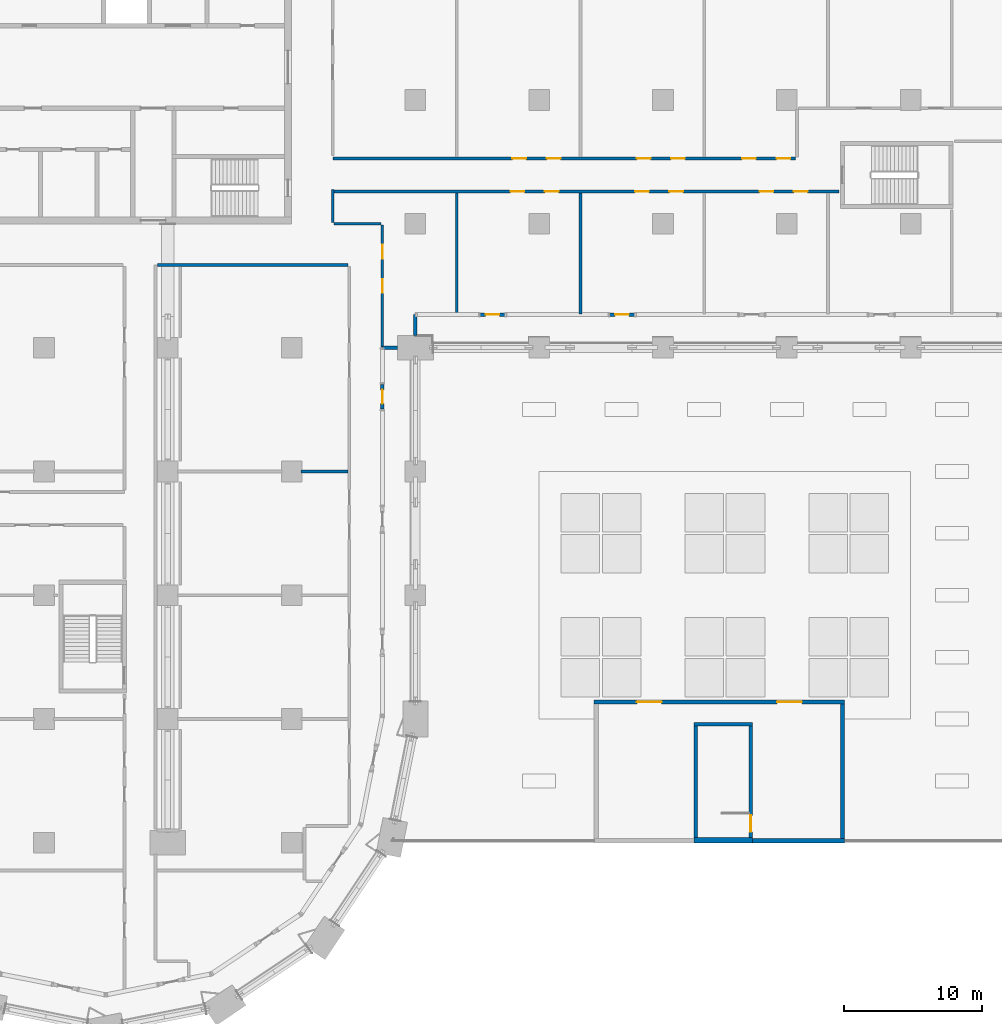
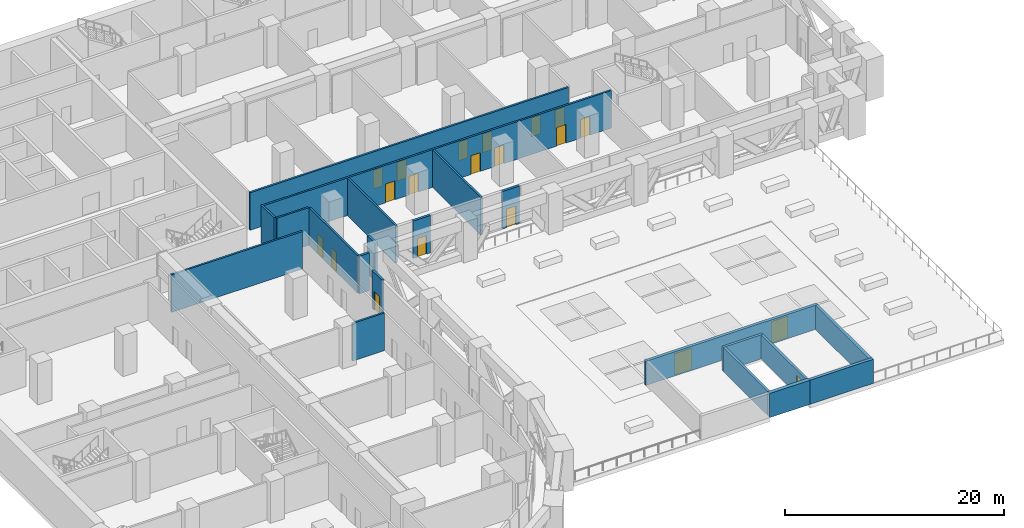
# One storey, part 13 of 31: 21 walls, 20 doors, 20 openings.
"""IFC4 building model written with IfcOpenShell, lengths in metres."""

from ifc_helpers import new_model, si_unit, direction, frame, frame_2d, origin, place, context, subcontext, project, spatial, rectangle, extrude, material, layer, layer_set, type_object, element, fill, save


model = new_model("IFC4")

# Units and contexts
model_context = context("Model", 3, precision=1e-05, world=origin(), true_north=direction((0.0, 1.0)))
body_context = subcontext(model_context, "Body", "Model", "MODEL_VIEW")
ifc_project = project(units=[si_unit("LENGTHUNIT", "METRE"), si_unit("AREAUNIT", "SQUARE_METRE"), si_unit("VOLUMEUNIT", "CUBIC_METRE"), si_unit("PLANEANGLEUNIT", "RADIAN"), si_unit("MASSUNIT", "GRAM", prefix="KILO")], contexts=[model_context])

# Site, building, storey
site_placement = place(None, origin())
site = spatial("IfcSite", under=ifc_project, at=site_placement, CompositionType="ELEMENT")
building_placement = place(site_placement, origin())
building = spatial("IfcBuilding", under=site, at=building_placement, Name="Hunhe Ridgeline Campus", CompositionType="ELEMENT")
storey_placement = place(building_placement, frame((0.0, 0.0, 31.199951171875)))
storey = spatial("IfcBuildingStorey", under=building, at=storey_placement, Name="L06", CompositionType="ELEMENT", Elevation=31.199951171875)

# Walls
ifc_material_1 = material(Name="Concrete C30", Category="concrete")
ifc_layer_1 = layer(ifc_material_1, 0.25)
ifc_layer_set_1 = layer_set([ifc_layer_1], Name="Corner return wall 250 Concrete C30")
wall_type_1 = type_object("IfcWallType", Name="Corner return wall 250 Concrete C30", PredefinedType="SOLIDWALL", material=ifc_layer_set_1)
wall_1_placement = place(storey_placement, frame((42.59912109375, 54.0, 0.0), z_axis=(0.0, 0.0, 1.0), x_axis=(0.999999901628, 0.000443557286, 0.0)))
element("IfcWall", 1, at=wall_1_placement, inside=storey, type_object=wall_type_1, Name="Corner return wall 2", PredefinedType="SOLIDWALL", context=body_context, shape_type="SweptSolid", body=[
    extrude(rectangle(XDim=1.100830078125, YDim=0.25, at=frame_2d((0.55029296875, 0.0))), origin(), (0.0, 0.0, 1.0), 4.199951171875),
])
wall_2_placement = place(storey_placement, frame((44.999267578125, 54.89990234375, 0.0), z_axis=(0.0, 0.0, 1.0), x_axis=(0.00016265452, 0.999999986772, 0.0)))
element("IfcWall", 2, at=wall_2_placement, inside=storey, type_object=wall_type_1, Name="Corner return wall 3", PredefinedType="SOLIDWALL", context=body_context, shape_type="SweptSolid", body=[
    extrude(rectangle(XDim=1.5009765625, YDim=0.25, at=frame_2d((0.75048828125, 0.0))), origin(), (0.0, 0.0, 1.0), 4.199951171875),
])
ifc_material_2 = material(Name="Gypsum board partition")
ifc_layer_2 = layer(ifc_material_2, 0.199951171875)
ifc_layer_set_2 = layer_set([ifc_layer_2], Name="Corridor partition 200 gypsum board on steel studs")
wall_type_2 = type_object("IfcWallType", Name="Corridor partition 200 gypsum board on steel studs", PredefinedType="PARTITIONING", material=ifc_layer_set_2)
wall_3_placement = place(storey_placement, frame((36.699951171875, 45.0, 0.0), z_axis=(0.0, 0.0, 1.0), x_axis=(1.0, 0.0, 0.0)))
element("IfcWall", 3, at=wall_3_placement, inside=storey, type_object=wall_type_2, Name="F-L06-wall-024", PredefinedType="PARTITIONING", context=body_context, shape_type="SweptSolid", body=[
    extrude(rectangle(XDim=3.400146484375, YDim=0.199951171875, at=frame_2d((1.7001953125, 0.0))), origin(), (0.0, 0.0, 1.0), 4.199951171875),
])
wall_4_placement = place(storey_placement, frame((40.10009765625, 60.0, 0.0), z_axis=(0.0, 0.0, 1.0), x_axis=(-1.0, 0.0, 0.0)))
element("IfcWall", 4, at=wall_4_placement, inside=storey, type_object=wall_type_2, Name="F-L06-wall-026", PredefinedType="PARTITIONING", context=body_context, shape_type="SweptSolid", body=[
    extrude(rectangle(XDim=13.8525390625, YDim=0.199951171875, at=frame_2d((6.92626953125, 0.0))), origin(), (0.0, 0.0, 1.0), 4.199951171875),
])
wall_5_placement = place(storey_placement, frame((39.10009765625, 63.0, 0.0), z_axis=(0.0, 0.0, 1.0), x_axis=(1.0, 0.0, 0.0)))
element("IfcWall", 5, at=wall_5_placement, inside=storey, type_object=wall_type_2, Name="F-L06-wall-027", PredefinedType="PARTITIONING", context=body_context, shape_type="SweptSolid", body=[
    extrude(rectangle(XDim=3.39990234375, YDim=0.199951171875, at=frame_2d((1.699951171875, 0.0))), origin(), (0.0, 0.0, 1.0), 4.199951171875),
])

# Wall, openings, doors
wall_6_placement = place(storey_placement, frame((75.7958984375, 65.35009765625, 0.0), z_axis=(0.0, 0.0, 1.0), x_axis=(-1.0, 0.0, 0.0)))
wall_6 = element("IfcWall", 6, at=wall_6_placement, inside=storey, type_object=wall_type_2, Name="F-L06-wall-028", PredefinedType="PARTITIONING", context=body_context, shape_type="SweptSolid", body=[
    extrude(rectangle(XDim=36.69580078125, YDim=0.199951171875, at=frame_2d((18.347900390625, 0.0))), origin(), (0.0, 0.0, 1.0), 4.199951171875),
])
opening_1_placement = place(wall_6_placement, frame((22.874755859375, 0.0, 0.0)))
opening_1 = element("IfcOpeningElement", 7, at=opening_1_placement, cuts=wall_6, Name="Opening RD1-022", PredefinedType="OPENING", context=body_context, shape_type="SweptSolid", body=[
    extrude(rectangle(XDim=1.0, YDim=2.10009765625, at=frame_2d((0.5, 1.050048828125))), frame((0.0, 0.10009765625, 0.0), z_axis=(0.0, -1.0, 0.0), x_axis=(1.0, 0.0, 0.0)), (0.0, 0.0, 1.0), 0.199951171875),
])
opening_2_placement = place(wall_6_placement, frame((20.374755859375, 0.0, 0.0)))
opening_2 = element("IfcOpeningElement", 8, at=opening_2_placement, cuts=wall_6, Name="Opening RD1-023", PredefinedType="OPENING", context=body_context, shape_type="SweptSolid", body=[
    extrude(rectangle(XDim=1.0, YDim=2.10009765625, at=frame_2d((0.5, 1.050048828125))), frame((0.0, 0.10009765625, 0.0), z_axis=(0.0, -1.0, 0.0), x_axis=(1.0, 0.0, 0.0)), (0.0, 0.0, 1.0), 0.199951171875),
])
opening_3_placement = place(wall_6_placement, frame((13.826416015625, 0.0, 0.0)))
opening_3 = element("IfcOpeningElement", 9, at=opening_3_placement, cuts=wall_6, Name="Opening RD1-024", PredefinedType="OPENING", context=body_context, shape_type="SweptSolid", body=[
    extrude(rectangle(XDim=1.0, YDim=2.10009765625, at=frame_2d((0.5, 1.050048828125))), frame((0.0, 0.10009765625, 0.0), z_axis=(0.0, -1.0, 0.0), x_axis=(1.0, 0.0, 0.0)), (0.0, 0.0, 1.0), 0.199951171875),
])
opening_4_placement = place(wall_6_placement, frame((11.326416015625, 0.0, 0.0)))
opening_4 = element("IfcOpeningElement", 10, at=opening_4_placement, cuts=wall_6, Name="Opening RD1-025", PredefinedType="OPENING", context=body_context, shape_type="SweptSolid", body=[
    extrude(rectangle(XDim=1.0, YDim=2.10009765625, at=frame_2d((0.5, 1.050048828125))), frame((0.0, 0.10009765625, 0.0), z_axis=(0.0, -1.0, 0.0), x_axis=(1.0, 0.0, 0.0)), (0.0, 0.0, 1.0), 0.199951171875),
])
opening_5_placement = place(wall_6_placement, frame((4.7783203125, 0.0, 0.0)))
opening_5 = element("IfcOpeningElement", 11, at=opening_5_placement, cuts=wall_6, Name="Opening RD1-026", PredefinedType="OPENING", context=body_context, shape_type="SweptSolid", body=[
    extrude(rectangle(XDim=1.0, YDim=2.10009765625, at=frame_2d((0.5, 1.050048828125))), frame((0.0, 0.10009765625, 0.0), z_axis=(0.0, -1.0, 0.0), x_axis=(1.0, 0.0, 0.0)), (0.0, 0.0, 1.0), 0.199951171875),
])
opening_6_placement = place(wall_6_placement, frame((2.2783203125, 0.0, 0.0)))
opening_6 = element("IfcOpeningElement", 12, at=opening_6_placement, cuts=wall_6, Name="Opening RD1-027", PredefinedType="OPENING", context=body_context, shape_type="SweptSolid", body=[
    extrude(rectangle(XDim=1.0, YDim=2.10009765625, at=frame_2d((0.5, 1.050048828125))), frame((0.0, 0.10009765625, 0.0), z_axis=(0.0, -1.0, 0.0), x_axis=(1.0, 0.0, 0.0)), (0.0, 0.0, 1.0), 0.199951171875),
])
ifc_material_3 = material(Name="Timber door leaf", Category="wood")
door_type_1 = type_object("IfcDoorType", Name="Single fire door 1000x2100 timber FD60", OperationType="NOTDEFINED", PredefinedType="DOOR", material=ifc_material_3)
door_1_placement = place(opening_1_placement, frame((1.0, 0.0, 0.0), z_axis=(0.0, 0.0, 1.0), x_axis=(-1.0, 0.0, 0.0)))
door_1 = element("IfcDoor", 13, at=door_1_placement, inside=storey, type_object=door_type_1, Name="F-L06-door-022", OperationType="SINGLE_SWING_RIGHT", OverallHeight=2.10009765625, OverallWidth=1.0, PredefinedType="DOOR", context=body_context, shape_type="SweptSolid", body=[
    extrude(rectangle(XDim=1.0, YDim=2.10009765625, at=frame_2d((0.5, 1.050048828125))), frame((0.0, 0.02490234375, 0.0), z_axis=(0.0, -1.0, 0.0), x_axis=(1.0, 0.0, 0.0)), (0.0, 0.0, 1.0), 0.050048828125),
])
fill(opening_1, door_1)
door_2_placement = place(opening_2_placement, frame((1.0, 0.0, 0.0), z_axis=(0.0, 0.0, 1.0), x_axis=(-1.0, 0.0, 0.0)))
door_2 = element("IfcDoor", 14, at=door_2_placement, inside=storey, type_object=door_type_1, Name="F-L06-door-023", OperationType="SINGLE_SWING_RIGHT", OverallHeight=2.10009765625, OverallWidth=1.0, PredefinedType="DOOR", context=body_context, shape_type="SweptSolid", body=[
    extrude(rectangle(XDim=1.0, YDim=2.10009765625, at=frame_2d((0.5, 1.050048828125))), frame((0.0, 0.02490234375, 0.0), z_axis=(0.0, -1.0, 0.0), x_axis=(1.0, 0.0, 0.0)), (0.0, 0.0, 1.0), 0.050048828125),
])
fill(opening_2, door_2)
door_3_placement = place(opening_3_placement, frame((1.0, 0.0, 0.0), z_axis=(0.0, 0.0, 1.0), x_axis=(-1.0, 0.0, 0.0)))
door_3 = element("IfcDoor", 15, at=door_3_placement, inside=storey, type_object=door_type_1, Name="F-L06-door-024", OperationType="SINGLE_SWING_RIGHT", OverallHeight=2.10009765625, OverallWidth=1.0, PredefinedType="DOOR", context=body_context, shape_type="SweptSolid", body=[
    extrude(rectangle(XDim=1.0, YDim=2.10009765625, at=frame_2d((0.5, 1.050048828125))), frame((0.0, 0.02490234375, 0.0), z_axis=(0.0, -1.0, 0.0), x_axis=(1.0, 0.0, 0.0)), (0.0, 0.0, 1.0), 0.050048828125),
])
fill(opening_3, door_3)
door_4_placement = place(opening_4_placement, frame((1.0, 0.0, 0.0), z_axis=(0.0, 0.0, 1.0), x_axis=(-1.0, 0.0, 0.0)))
door_4 = element("IfcDoor", 16, at=door_4_placement, inside=storey, type_object=door_type_1, Name="F-L06-door-025", OperationType="SINGLE_SWING_RIGHT", OverallHeight=2.10009765625, OverallWidth=1.0, PredefinedType="DOOR", context=body_context, shape_type="SweptSolid", body=[
    extrude(rectangle(XDim=1.0, YDim=2.10009765625, at=frame_2d((0.5, 1.050048828125))), frame((0.0, 0.02490234375, 0.0), z_axis=(0.0, -1.0, 0.0), x_axis=(1.0, 0.0, 0.0)), (0.0, 0.0, 1.0), 0.050048828125),
])
fill(opening_4, door_4)
door_5_placement = place(opening_5_placement, frame((1.0, 0.0, 0.0), z_axis=(0.0, 0.0, 1.0), x_axis=(-1.0, 0.0, 0.0)))
door_5 = element("IfcDoor", 17, at=door_5_placement, inside=storey, type_object=door_type_1, Name="F-L06-door-026", OperationType="SINGLE_SWING_RIGHT", OverallHeight=2.10009765625, OverallWidth=1.0, PredefinedType="DOOR", context=body_context, shape_type="SweptSolid", body=[
    extrude(rectangle(XDim=1.0, YDim=2.10009765625, at=frame_2d((0.5, 1.050048828125))), frame((0.0, 0.02490234375, 0.0), z_axis=(0.0, -1.0, 0.0), x_axis=(1.0, 0.0, 0.0)), (0.0, 0.0, 1.0), 0.050048828125),
])
fill(opening_5, door_5)
door_6_placement = place(opening_6_placement, frame((1.0, 0.0, 0.0), z_axis=(0.0, 0.0, 1.0), x_axis=(-1.0, 0.0, 0.0)))
door_6 = element("IfcDoor", 18, at=door_6_placement, inside=storey, type_object=door_type_1, Name="F-L06-door-027", OperationType="SINGLE_SWING_RIGHT", OverallHeight=2.10009765625, OverallWidth=1.0, PredefinedType="DOOR", context=body_context, shape_type="SweptSolid", body=[
    extrude(rectangle(XDim=1.0, YDim=2.10009765625, at=frame_2d((0.5, 1.050048828125))), frame((0.0, 0.02490234375, 0.0), z_axis=(0.0, -1.0, 0.0), x_axis=(1.0, 0.0, 0.0)), (0.0, 0.0, 1.0), 0.050048828125),
])
fill(opening_6, door_6)

wall_7_placement = place(storey_placement, frame((39.0, 67.75, 0.0), z_axis=(0.0, 0.0, 1.0), x_axis=(1.0, 0.0, 0.0)))
wall_7 = element("IfcWall", 19, at=wall_7_placement, inside=storey, type_object=wall_type_2, Name="F-L06-wall-029", PredefinedType="PARTITIONING", context=body_context, shape_type="SweptSolid", body=[
    extrude(rectangle(XDim=33.64990234375, YDim=0.199951171875, at=frame_2d((16.824951171875, 0.0))), origin(), (0.0, 0.0, 1.0), 4.199951171875),
])
opening_7_placement = place(wall_7_placement, frame((13.060302734375, 0.0, 0.0)))
opening_7 = element("IfcOpeningElement", 20, at=opening_7_placement, cuts=wall_7, Name="Opening RD1-028", PredefinedType="OPENING", context=body_context, shape_type="SweptSolid", body=[
    extrude(rectangle(XDim=1.0, YDim=2.10009765625, at=frame_2d((0.5, 1.050048828125))), frame((0.0, 0.10009765625, 0.0), z_axis=(0.0, -1.0, 0.0), x_axis=(1.0, 0.0, 0.0)), (0.0, 0.0, 1.0), 0.199951171875),
])
opening_8_placement = place(wall_7_placement, frame((15.560302734375, 0.0, 0.0)))
opening_8 = element("IfcOpeningElement", 21, at=opening_8_placement, cuts=wall_7, Name="Opening RD1-029", PredefinedType="OPENING", context=body_context, shape_type="SweptSolid", body=[
    extrude(rectangle(XDim=1.0, YDim=2.10009765625, at=frame_2d((0.5, 1.050048828125))), frame((0.0, 0.10009765625, 0.0), z_axis=(0.0, -1.0, 0.0), x_axis=(1.0, 0.0, 0.0)), (0.0, 0.0, 1.0), 0.199951171875),
])
opening_9_placement = place(wall_7_placement, frame((22.1005859375, 0.0, 0.0)))
opening_9 = element("IfcOpeningElement", 22, at=opening_9_placement, cuts=wall_7, Name="Opening RD1-030", PredefinedType="OPENING", context=body_context, shape_type="SweptSolid", body=[
    extrude(rectangle(XDim=1.0, YDim=2.10009765625, at=frame_2d((0.5, 1.050048828125))), frame((0.0, 0.10009765625, 0.0), z_axis=(0.0, -1.0, 0.0), x_axis=(1.0, 0.0, 0.0)), (0.0, 0.0, 1.0), 0.199951171875),
])
opening_10_placement = place(wall_7_placement, frame((24.6005859375, 0.0, 0.0)))
opening_10 = element("IfcOpeningElement", 23, at=opening_10_placement, cuts=wall_7, Name="Opening RD1-031", PredefinedType="OPENING", context=body_context, shape_type="SweptSolid", body=[
    extrude(rectangle(XDim=1.0, YDim=2.10009765625, at=frame_2d((0.5, 1.050048828125))), frame((0.0, 0.10009765625, 0.0), z_axis=(0.0, -1.0, 0.0), x_axis=(1.0, 0.0, 0.0)), (0.0, 0.0, 1.0), 0.199951171875),
])
opening_11_placement = place(wall_7_placement, frame((29.760009765625, 0.0, 0.0)))
opening_11 = element("IfcOpeningElement", 24, at=opening_11_placement, cuts=wall_7, Name="Opening RD1-032", PredefinedType="OPENING", context=body_context, shape_type="SweptSolid", body=[
    extrude(rectangle(XDim=1.0, YDim=2.10009765625, at=frame_2d((0.5, 1.050048828125))), frame((0.0, 0.10009765625, 0.0), z_axis=(0.0, -1.0, 0.0), x_axis=(1.0, 0.0, 0.0)), (0.0, 0.0, 1.0), 0.199951171875),
])
opening_12_placement = place(wall_7_placement, frame((32.260009765625, 0.0, 0.0)))
opening_12 = element("IfcOpeningElement", 25, at=opening_12_placement, cuts=wall_7, Name="Opening RD1-033", PredefinedType="OPENING", context=body_context, shape_type="SweptSolid", body=[
    extrude(rectangle(XDim=1.0, YDim=2.10009765625, at=frame_2d((0.5, 1.050048828125))), frame((0.0, 0.10009765625, 0.0), z_axis=(0.0, -1.0, 0.0), x_axis=(1.0, 0.0, 0.0)), (0.0, 0.0, 1.0), 0.199951171875),
])
door_7_placement = place(opening_7_placement, frame((1.0, 0.0, 0.0), z_axis=(0.0, 0.0, 1.0), x_axis=(-1.0, 0.0, 0.0)))
door_7 = element("IfcDoor", 26, at=door_7_placement, inside=storey, type_object=door_type_1, Name="F-L06-door-028", OperationType="SINGLE_SWING_LEFT", OverallHeight=2.10009765625, OverallWidth=1.0, PredefinedType="DOOR", context=body_context, shape_type="SweptSolid", body=[
    extrude(rectangle(XDim=1.0, YDim=2.10009765625, at=frame_2d((0.5, 1.050048828125))), frame((0.0, 0.02490234375, 0.0), z_axis=(0.0, -1.0, 0.0), x_axis=(1.0, 0.0, 0.0)), (0.0, 0.0, 1.0), 0.050048828125),
])
fill(opening_7, door_7)
door_8_placement = place(opening_8_placement, frame((1.0, 0.0, 0.0), z_axis=(0.0, 0.0, 1.0), x_axis=(-1.0, 0.0, 0.0)))
door_8 = element("IfcDoor", 27, at=door_8_placement, inside=storey, type_object=door_type_1, Name="F-L06-door-029", OperationType="SINGLE_SWING_LEFT", OverallHeight=2.10009765625, OverallWidth=1.0, PredefinedType="DOOR", context=body_context, shape_type="SweptSolid", body=[
    extrude(rectangle(XDim=1.0, YDim=2.10009765625, at=frame_2d((0.5, 1.050048828125))), frame((0.0, 0.02490234375, 0.0), z_axis=(0.0, -1.0, 0.0), x_axis=(1.0, 0.0, 0.0)), (0.0, 0.0, 1.0), 0.050048828125),
])
fill(opening_8, door_8)
door_9_placement = place(opening_9_placement, frame((1.0, 0.0, 0.0), z_axis=(0.0, 0.0, 1.0), x_axis=(-1.0, 0.0, 0.0)))
door_9 = element("IfcDoor", 28, at=door_9_placement, inside=storey, type_object=door_type_1, Name="F-L06-door-030", OperationType="SINGLE_SWING_LEFT", OverallHeight=2.10009765625, OverallWidth=1.0, PredefinedType="DOOR", context=body_context, shape_type="SweptSolid", body=[
    extrude(rectangle(XDim=1.0, YDim=2.10009765625, at=frame_2d((0.5, 1.050048828125))), frame((0.0, 0.02490234375, 0.0), z_axis=(0.0, -1.0, 0.0), x_axis=(1.0, 0.0, 0.0)), (0.0, 0.0, 1.0), 0.050048828125),
])
fill(opening_9, door_9)
door_10_placement = place(opening_10_placement, frame((1.0, 0.0, 0.0), z_axis=(0.0, 0.0, 1.0), x_axis=(-1.0, 0.0, 0.0)))
door_10 = element("IfcDoor", 29, at=door_10_placement, inside=storey, type_object=door_type_1, Name="F-L06-door-031", OperationType="SINGLE_SWING_LEFT", OverallHeight=2.10009765625, OverallWidth=1.0, PredefinedType="DOOR", context=body_context, shape_type="SweptSolid", body=[
    extrude(rectangle(XDim=1.0, YDim=2.10009765625, at=frame_2d((0.5, 1.050048828125))), frame((0.0, 0.02490234375, 0.0), z_axis=(0.0, -1.0, 0.0), x_axis=(1.0, 0.0, 0.0)), (0.0, 0.0, 1.0), 0.050048828125),
])
fill(opening_10, door_10)
door_11_placement = place(opening_11_placement, frame((1.0, 0.0, 0.0), z_axis=(0.0, 0.0, 1.0), x_axis=(-1.0, 0.0, 0.0)))
door_11 = element("IfcDoor", 30, at=door_11_placement, inside=storey, type_object=door_type_1, Name="F-L06-door-032", OperationType="SINGLE_SWING_LEFT", OverallHeight=2.10009765625, OverallWidth=1.0, PredefinedType="DOOR", context=body_context, shape_type="SweptSolid", body=[
    extrude(rectangle(XDim=1.0, YDim=2.10009765625, at=frame_2d((0.5, 1.050048828125))), frame((0.0, 0.02490234375, 0.0), z_axis=(0.0, -1.0, 0.0), x_axis=(1.0, 0.0, 0.0)), (0.0, 0.0, 1.0), 0.050048828125),
])
fill(opening_11, door_11)
door_12_placement = place(opening_12_placement, frame((1.0, 0.0, 0.0), z_axis=(0.0, 0.0, 1.0), x_axis=(-1.0, 0.0, 0.0)))
door_12 = element("IfcDoor", 31, at=door_12_placement, inside=storey, type_object=door_type_1, Name="F-L06-door-033", OperationType="SINGLE_SWING_LEFT", OverallHeight=2.10009765625, OverallWidth=1.0, PredefinedType="DOOR", context=body_context, shape_type="SweptSolid", body=[
    extrude(rectangle(XDim=1.0, YDim=2.10009765625, at=frame_2d((0.5, 1.050048828125))), frame((0.0, 0.02490234375, 0.0), z_axis=(0.0, -1.0, 0.0), x_axis=(1.0, 0.0, 0.0)), (0.0, 0.0, 1.0), 0.050048828125),
])
fill(opening_12, door_12)

# Wall
wall_8_placement = place(storey_placement, frame((39.0, 65.491455078125, 0.0), z_axis=(0.0, 0.0, 1.0), x_axis=(0.0, -1.0, 0.0)))
element("IfcWall", 32, at=wall_8_placement, inside=storey, type_object=wall_type_2, Name="F-L06-wall-069", PredefinedType="PARTITIONING", context=body_context, shape_type="SweptSolid", body=[
    extrude(rectangle(XDim=2.391357421875, YDim=0.199951171875, at=frame_2d((1.19580078125, 0.0))), origin(), (0.0, 0.0, 1.0), 4.199951171875),
])

# Wall, openings, doors
wall_9_placement = place(storey_placement, frame((42.60009765625, 62.89990234375, 0.0), z_axis=(0.0, 0.0, 1.0), x_axis=(0.0, -1.0, 0.0)))
wall_9 = element("IfcWall", 33, at=wall_9_placement, inside=storey, type_object=wall_type_2, Name="F-L06-wall-072", PredefinedType="PARTITIONING", context=body_context, shape_type="SweptSolid", body=[
    extrude(rectangle(XDim=8.845703125, YDim=0.199951171875, at=frame_2d((4.4228515625, 0.0))), origin(), (0.0, 0.0, 1.0), 4.199951171875),
])
opening_13_placement = place(wall_9_placement, frame((3.923095703125, 0.0, 0.0)))
opening_13 = element("IfcOpeningElement", 34, at=opening_13_placement, cuts=wall_9, Name="Opening RD1-020", PredefinedType="OPENING", context=body_context, shape_type="SweptSolid", body=[
    extrude(rectangle(XDim=1.0, YDim=2.10009765625, at=frame_2d((0.5, 1.050048828125))), frame((0.0, 0.10009765625, 0.0), z_axis=(0.0, -1.0, 0.0), x_axis=(1.0, 0.0, 0.0)), (0.0, 0.0, 1.0), 0.199951171875),
])
opening_14_placement = place(wall_9_placement, frame((1.423095703125, 0.0, 0.0)))
opening_14 = element("IfcOpeningElement", 35, at=opening_14_placement, cuts=wall_9, Name="Opening RD1-021", PredefinedType="OPENING", context=body_context, shape_type="SweptSolid", body=[
    extrude(rectangle(XDim=1.0, YDim=2.10009765625, at=frame_2d((0.5, 1.050048828125))), frame((0.0, 0.10009765625, 0.0), z_axis=(0.0, -1.0, 0.0), x_axis=(1.0, 0.0, 0.0)), (0.0, 0.0, 1.0), 0.199951171875),
])
door_13_placement = place(opening_13_placement, frame((1.0, 0.0, 0.0), z_axis=(0.0, 0.0, 1.0), x_axis=(-1.0, 0.0, 0.0)))
door_13 = element("IfcDoor", 36, at=door_13_placement, inside=storey, type_object=door_type_1, Name="F-L06-door-020", OperationType="SINGLE_SWING_LEFT", OverallHeight=2.10009765625, OverallWidth=1.0, PredefinedType="DOOR", context=body_context, shape_type="SweptSolid", body=[
    extrude(rectangle(XDim=1.0, YDim=2.10009765625, at=frame_2d((0.5, 1.050048828125))), frame((0.0, 0.02490234375, 0.0), z_axis=(0.0, -1.0, 0.0), x_axis=(1.0, 0.0, 0.0)), (0.0, 0.0, 1.0), 0.050048828125),
])
fill(opening_13, door_13)
door_14_placement = place(opening_14_placement, frame((1.0, 0.0, 0.0), z_axis=(0.0, 0.0, 1.0), x_axis=(-1.0, 0.0, 0.0)))
door_14 = element("IfcDoor", 37, at=door_14_placement, inside=storey, type_object=door_type_1, Name="F-L06-door-021", OperationType="SINGLE_SWING_RIGHT", OverallHeight=2.10009765625, OverallWidth=1.0, PredefinedType="DOOR", context=body_context, shape_type="SweptSolid", body=[
    extrude(rectangle(XDim=1.0, YDim=2.10009765625, at=frame_2d((0.5, 1.050048828125))), frame((0.0, 0.02490234375, 0.0), z_axis=(0.0, -1.0, 0.0), x_axis=(1.0, 0.0, 0.0)), (0.0, 0.0, 1.0), 0.050048828125),
])
fill(opening_14, door_14)

# Walls
for number, where, z_axis, x_axis, name in (
    (38, (48.0, 65.25, 0.0), (0.0, 0.0, 1.0), (0.0, -1.0, 0.0), "F-L06-wall-073"),
    (39, (57.0, 65.25, 0.0), (0.0, 0.0, 1.0), (0.0, -1.0, 0.0), "F-L06-wall-076"),
):
    element("IfcWall", number, at=place(storey_placement, frame(where, z_axis=z_axis, x_axis=x_axis)), inside=storey, type_object=wall_type_2, Name=name, PredefinedType="PARTITIONING", context=body_context, shape_type="SweptSolid", body=[
        extrude(rectangle(XDim=8.795166015625, YDim=0.199951171875, at=frame_2d((4.3974609375, 0.0))), origin(), (0.0, 0.0, 1.0), 4.199951171875),
    ])

# Wall, opening, door
ifc_layer_3 = layer(ifc_material_1, 0.25)
ifc_layer_set_3 = layer_set([ifc_layer_3], Name="Loggia door pier wall 250 Concrete C30")
wall_type_3 = type_object("IfcWallType", Name="Loggia door pier wall 250 Concrete C30", PredefinedType="SOLIDWALL", material=ifc_layer_set_3)
wall_10_placement = place(storey_placement, frame((42.59912109375, 49.53955078125, 0.0), z_axis=(0.0, 0.0, 1.0), x_axis=(0.0, 1.0, 0.0)))
wall_10 = element("IfcWall", 40, at=wall_10_placement, inside=storey, type_object=wall_type_3, Name="Loggia door pier 11", PredefinedType="SOLIDWALL", context=body_context, shape_type="SweptSolid", body=[
    extrude(rectangle(XDim=1.800048828125, YDim=0.25, at=frame_2d((0.89990234375, 0.0))), origin(), (0.0, 0.0, 1.0), 4.199951171875),
])
opening_15_placement = place(wall_10_placement, frame((0.39990234375, 0.0, 0.0)))
opening_15 = element("IfcOpeningElement", 41, at=opening_15_placement, cuts=wall_10, Name="Opening BR111", PredefinedType="OPENING", context=body_context, shape_type="SweptSolid", body=[
    extrude(rectangle(XDim=1.0, YDim=2.10009765625, at=frame_2d((0.5, 1.050048828125))), frame((0.0, 0.125, 0.0), z_axis=(0.0, -1.0, 0.0), x_axis=(1.0, 0.0, 0.0)), (0.0, 0.0, 1.0), 0.25),
])
ifc_material_4 = material(Name="Aluminium 6063", Category="aluminium")
door_type_2 = type_object("IfcDoorType", Name="Loggia glazed door 1000x2100", OperationType="NOTDEFINED", PredefinedType="DOOR", material=ifc_material_4)
door_15_placement = place(opening_15_placement, frame((1.0, 0.0, 0.0), z_axis=(0.0, 0.0, 1.0), x_axis=(-1.0, 0.0, 0.0)))
door_15 = element("IfcDoor", 42, at=door_15_placement, inside=storey, type_object=door_type_2, Name="Loggia door BR111", OperationType="SINGLE_SWING_RIGHT", OverallHeight=2.10009765625, OverallWidth=1.0, PredefinedType="DOOR", context=body_context, shape_type="SweptSolid", body=[
    extrude(rectangle(XDim=1.0, YDim=2.10009765625, at=frame_2d((0.5, 1.050048828125))), frame((0.0, 0.02490234375, 0.0), z_axis=(0.0, -1.0, 0.0), x_axis=(1.0, 0.0, 0.0)), (0.0, 0.0, 1.0), 0.050048828125),
])
fill(opening_15, door_15)

wall_11_placement = place(storey_placement, frame((49.70947265625, 56.40087890625, 0.0), z_axis=(0.0, 0.0, 1.0), x_axis=(1.0, 0.0, 0.0)))
wall_11 = element("IfcWall", 43, at=wall_11_placement, inside=storey, type_object=wall_type_3, Name="Loggia door pier 12", PredefinedType="SOLIDWALL", context=body_context, shape_type="SweptSolid", body=[
    extrude(rectangle(XDim=1.800048828125, YDim=0.25, at=frame_2d((0.89990234375, 0.0))), origin(), (0.0, 0.0, 1.0), 4.199951171875),
])
opening_16_placement = place(wall_11_placement, frame((0.39990234375, 0.0, 0.0)))
opening_16 = element("IfcOpeningElement", 44, at=opening_16_placement, cuts=wall_11, Name="Opening BR112", PredefinedType="OPENING", context=body_context, shape_type="SweptSolid", body=[
    extrude(rectangle(XDim=1.0, YDim=2.10009765625, at=frame_2d((0.5, 1.050048828125))), frame((0.0, 0.125, 0.0), z_axis=(0.0, -1.0, 0.0), x_axis=(1.0, 0.0, 0.0)), (0.0, 0.0, 1.0), 0.25),
])
door_16_placement = place(opening_16_placement, frame((1.0, 0.0, 0.0), z_axis=(0.0, 0.0, 1.0), x_axis=(-1.0, 0.0, 0.0)))
door_16 = element("IfcDoor", 45, at=door_16_placement, inside=storey, type_object=door_type_2, Name="Loggia door BR112", OperationType="SINGLE_SWING_LEFT", OverallHeight=2.10009765625, OverallWidth=1.0, PredefinedType="DOOR", context=body_context, shape_type="SweptSolid", body=[
    extrude(rectangle(XDim=1.0, YDim=2.10009765625, at=frame_2d((0.5, 1.050048828125))), frame((0.0, 0.02490234375, 0.0), z_axis=(0.0, -1.0, 0.0), x_axis=(1.0, 0.0, 0.0)), (0.0, 0.0, 1.0), 0.050048828125),
])
fill(opening_16, door_16)

wall_12_placement = place(storey_placement, frame((59.12939453125, 56.40087890625, 0.0), z_axis=(0.0, 0.0, 1.0), x_axis=(1.0, 0.0, 0.0)))
wall_12 = element("IfcWall", 46, at=wall_12_placement, inside=storey, type_object=wall_type_3, Name="Loggia door pier 13", PredefinedType="SOLIDWALL", context=body_context, shape_type="SweptSolid", body=[
    extrude(rectangle(XDim=1.7998046875, YDim=0.25, at=frame_2d((0.89990234375, 0.0))), origin(), (0.0, 0.0, 1.0), 4.199951171875),
])
opening_17_placement = place(wall_12_placement, frame((0.39990234375, 0.0, 0.0)))
opening_17 = element("IfcOpeningElement", 47, at=opening_17_placement, cuts=wall_12, Name="Opening BR113", PredefinedType="OPENING", context=body_context, shape_type="SweptSolid", body=[
    extrude(rectangle(XDim=1.0, YDim=2.10009765625, at=frame_2d((0.5, 1.050048828125))), frame((0.0, 0.125, 0.0), z_axis=(0.0, -1.0, 0.0), x_axis=(1.0, 0.0, 0.0)), (0.0, 0.0, 1.0), 0.25),
])
door_17_placement = place(opening_17_placement, frame((1.0, 0.0, 0.0), z_axis=(0.0, 0.0, 1.0), x_axis=(-1.0, 0.0, 0.0)))
door_17 = element("IfcDoor", 48, at=door_17_placement, inside=storey, type_object=door_type_2, Name="Loggia door BR113", OperationType="SINGLE_SWING_RIGHT", OverallHeight=2.10009765625, OverallWidth=1.0, PredefinedType="DOOR", context=body_context, shape_type="SweptSolid", body=[
    extrude(rectangle(XDim=1.0, YDim=2.10009765625, at=frame_2d((0.5, 1.050048828125))), frame((0.0, 0.02490234375, 0.0), z_axis=(0.0, -1.0, 0.0), x_axis=(1.0, 0.0, 0.0)), (0.0, 0.0, 1.0), 0.050048828125),
])
fill(opening_17, door_17)

# Walls
ifc_material_5 = material(Name="Concrete C40", Category="concrete")
ifc_layer_4 = layer(ifc_material_5, 0.300048828125)
ifc_layer_set_4 = layer_set([ifc_layer_4], Name="Roof pavilion wall 300 C40")
wall_type_4 = type_object("IfcWallType", Name="Roof pavilion wall 300 C40", PredefinedType="SOLIDWALL", material=ifc_layer_set_4)
wall_13_placement = place(storey_placement, frame((69.5, 18.14990234375, 0.0), z_axis=(0.0, 0.0, 1.0), x_axis=(1.0, 0.0, 0.0)))
element("IfcWall", 49, at=wall_13_placement, inside=storey, type_object=wall_type_4, Name="Roof pavilion wall", PredefinedType="SOLIDWALL", context=body_context, shape_type="SweptSolid", body=[
    extrude(rectangle(XDim=6.699951171875, YDim=0.300048828125, at=frame_2d((3.35009765625, 0.0))), origin(), (0.0, 0.0, 1.0), 2.699951171875),
])
wall_14_placement = place(storey_placement, frame((76.050048828125, 28.10009765625, 0.0), z_axis=(0.0, 0.0, 1.0), x_axis=(0.0, -1.0, 0.0)))
element("IfcWall", 50, at=wall_14_placement, inside=storey, type_object=wall_type_4, Name="Roof pavilion wall", PredefinedType="SOLIDWALL", context=body_context, shape_type="SweptSolid", body=[
    extrude(rectangle(XDim=9.800048828125, YDim=0.300048828125, at=frame_2d((4.89990234375, 0.0))), origin(), (0.0, 0.0, 1.0), 2.699951171875),
])

# Wall, openings, doors
wall_15_placement = place(storey_placement, frame((76.199951171875, 28.25, 0.0), z_axis=(0.0, 0.0, 1.0), x_axis=(-1.0, 0.0, 0.0)))
wall_15 = element("IfcWall", 51, at=wall_15_placement, inside=storey, type_object=wall_type_4, Name="Roof pavilion wall", PredefinedType="SOLIDWALL", context=body_context, shape_type="SweptSolid", body=[
    extrude(rectangle(XDim=18.199951171875, YDim=0.300048828125, at=frame_2d((9.10009765625, 0.0))), origin(), (0.0, 0.0, 1.0), 2.699951171875),
])
opening_18_placement = place(wall_15_placement, frame((3.10009765625, 0.0, 0.0)))
opening_18 = element("IfcOpeningElement", 52, at=opening_18_placement, cuts=wall_15, Name="Opening TD1", PredefinedType="OPENING", context=body_context, shape_type="SweptSolid", body=[
    extrude(rectangle(XDim=1.800048828125, YDim=2.39990234375, at=frame_2d((0.89990234375, 1.199951171875))), frame((0.0, 0.14990234375, 0.0), z_axis=(0.0, -1.0, 0.0), x_axis=(1.0, 0.0, 0.0)), (0.0, 0.0, 1.0), 0.300048828125),
])
opening_19_placement = place(wall_15_placement, frame((13.300048828125, 0.0, 0.0)))
opening_19 = element("IfcOpeningElement", 53, at=opening_19_placement, cuts=wall_15, Name="Opening TD2", PredefinedType="OPENING", context=body_context, shape_type="SweptSolid", body=[
    extrude(rectangle(XDim=1.800048828125, YDim=2.39990234375, at=frame_2d((0.89990234375, 1.199951171875))), frame((0.0, 0.14990234375, 0.0), z_axis=(0.0, -1.0, 0.0), x_axis=(1.0, 0.0, 0.0)), (0.0, 0.0, 1.0), 0.300048828125),
])
ifc_material_6 = material(Name="Aluminium and glass", Category="aluminium")
door_type_3 = type_object("IfcDoorType", Name="Podium glazed entrance door 1800x2400", OperationType="NOTDEFINED", PredefinedType="DOOR", material=ifc_material_6)
door_18_placement = place(opening_18_placement, origin())
door_18 = element("IfcDoor", 54, at=door_18_placement, inside=storey, type_object=door_type_3, Name="Roof garden pavilion door", OperationType="DOUBLE_DOOR_SINGLE_SWING", OverallHeight=2.39990234375, OverallWidth=1.800048828125, PredefinedType="DOOR", context=body_context, shape_type="SweptSolid", body=[
    extrude(rectangle(XDim=1.800048828125, YDim=2.39990234375, at=frame_2d((0.89990234375, 1.199951171875))), frame((0.0, 0.02490234375, 0.0), z_axis=(0.0, -1.0, 0.0), x_axis=(1.0, 0.0, 0.0)), (0.0, 0.0, 1.0), 0.050048828125),
])
fill(opening_18, door_18)
door_19_placement = place(opening_19_placement, origin())
door_19 = element("IfcDoor", 55, at=door_19_placement, inside=storey, type_object=door_type_3, Name="Roof garden pavilion door", OperationType="DOUBLE_DOOR_SINGLE_SWING", OverallHeight=2.39990234375, OverallWidth=1.800048828125, PredefinedType="DOOR", context=body_context, shape_type="SweptSolid", body=[
    extrude(rectangle(XDim=1.800048828125, YDim=2.39990234375, at=frame_2d((0.89990234375, 1.199951171875))), frame((0.0, 0.02490234375, 0.0), z_axis=(0.0, -1.0, 0.0), x_axis=(1.0, 0.0, 0.0)), (0.0, 0.0, 1.0), 0.050048828125),
])
fill(opening_19, door_19)

# Walls
ifc_layer_5 = layer(ifc_material_5, 0.39990234375)
ifc_layer_set_5 = layer_set([ifc_layer_5], Name="Stair shaft facade wall 400 C40")
wall_type_5 = type_object("IfcWallType", Name="Stair shaft facade wall 400 C40", PredefinedType="SOLIDWALL", material=ifc_layer_set_5)
wall_16_placement = place(storey_placement, frame((65.25, 18.199951171875, 0.0), z_axis=(0.0, 0.0, 1.0), x_axis=(1.0, 0.0, 0.0)))
element("IfcWall", 56, at=wall_16_placement, inside=storey, type_object=wall_type_5, Name="L06 PS2 shaft wall", PredefinedType="SOLIDWALL", context=body_context, shape_type="SweptSolid", body=[
    extrude(rectangle(XDim=4.25, YDim=0.39990234375, at=frame_2d((2.125, 0.0))), origin(), (0.0, 0.0, 1.0), 2.699951171875),
])
ifc_layer_6 = layer(ifc_material_5, 0.25)
ifc_layer_set_6 = layer_set([ifc_layer_6], Name="Stair shaft wall 250 C40")
wall_type_6 = type_object("IfcWallType", Name="Stair shaft wall 250 C40", PredefinedType="SOLIDWALL", material=ifc_layer_set_6)
wall_17_placement = place(storey_placement, frame((65.375, 18.39990234375, 0.0), z_axis=(0.0, 0.0, 1.0), x_axis=(0.0, 1.0, 0.0)))
element("IfcWall", 57, at=wall_17_placement, inside=storey, type_object=wall_type_6, Name="L06 PS2 shaft wall", PredefinedType="SOLIDWALL", context=body_context, shape_type="SweptSolid", body=[
    extrude(rectangle(XDim=8.10009765625, YDim=0.25, at=frame_2d((4.050048828125, 0.0))), origin(), (0.0, 0.0, 1.0), 2.699951171875),
])

# Wall, opening, door
wall_18_placement = place(storey_placement, frame((69.375, 26.5, 0.0), z_axis=(0.0, 0.0, 1.0), x_axis=(0.0, -1.0, 0.0)))
wall_18 = element("IfcWall", 58, at=wall_18_placement, inside=storey, type_object=wall_type_6, Name="L06 PS2 shaft wall", PredefinedType="SOLIDWALL", context=body_context, shape_type="SweptSolid", body=[
    extrude(rectangle(XDim=8.10009765625, YDim=0.25, at=frame_2d((4.050048828125, 0.0))), origin(), (0.0, 0.0, 1.0), 2.699951171875),
])
opening_20_placement = place(wall_18_placement, frame((6.5, 0.0, 0.0)))
opening_20 = element("IfcOpeningElement", 59, at=opening_20_placement, cuts=wall_18, Name="Opening PD701", PredefinedType="OPENING", context=body_context, shape_type="SweptSolid", body=[
    extrude(rectangle(XDim=1.199951171875, YDim=2.10009765625, at=frame_2d((0.60009765625, 1.050048828125))), frame((0.0, 0.125, 0.0), z_axis=(0.0, -1.0, 0.0), x_axis=(1.0, 0.0, 0.0)), (0.0, 0.0, 1.0), 0.25),
])
ifc_material_7 = material(Name="Steel Q235", Category="steel")
door_type_4 = type_object("IfcDoorType", Name="Podium fire door 1200x2100 FD60", OperationType="NOTDEFINED", PredefinedType="DOOR", material=ifc_material_7)
door_20_placement = place(opening_20_placement, origin())
door_20 = element("IfcDoor", 60, at=door_20_placement, inside=storey, type_object=door_type_4, Name="Stair door PS2", OperationType="SINGLE_SWING_LEFT", OverallHeight=2.10009765625, OverallWidth=1.199951171875, PredefinedType="DOOR", context=body_context, shape_type="SweptSolid", body=[
    extrude(rectangle(XDim=1.199951171875, YDim=2.10009765625, at=frame_2d((0.60009765625, 1.050048828125))), frame((0.0, 0.02490234375, 0.0), z_axis=(0.0, -1.0, 0.0), x_axis=(1.0, 0.0, 0.0)), (0.0, 0.0, 1.0), 0.050048828125),
])
fill(opening_20, door_20)

# Wall
wall_19_placement = place(storey_placement, frame((65.25, 26.625, 0.0), z_axis=(0.0, 0.0, 1.0), x_axis=(1.0, 0.0, 0.0)))
element("IfcWall", 61, at=wall_19_placement, inside=storey, type_object=wall_type_6, Name="L06 PS2 shaft wall", PredefinedType="SOLIDWALL", context=body_context, shape_type="SweptSolid", body=[
    extrude(rectangle(XDim=4.25, YDim=0.25, at=frame_2d((2.125, 0.0))), origin(), (0.0, 0.0, 1.0), 2.699951171875),
])

save(model, "model.ifc")
